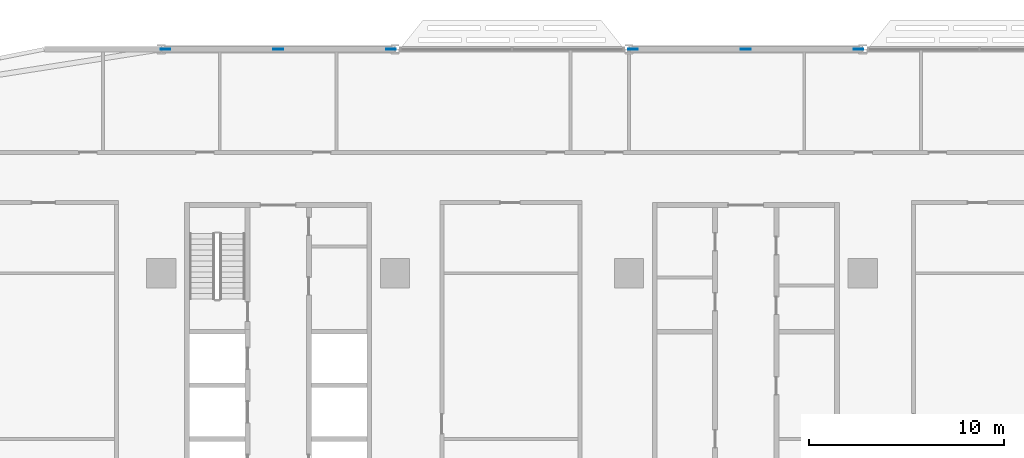
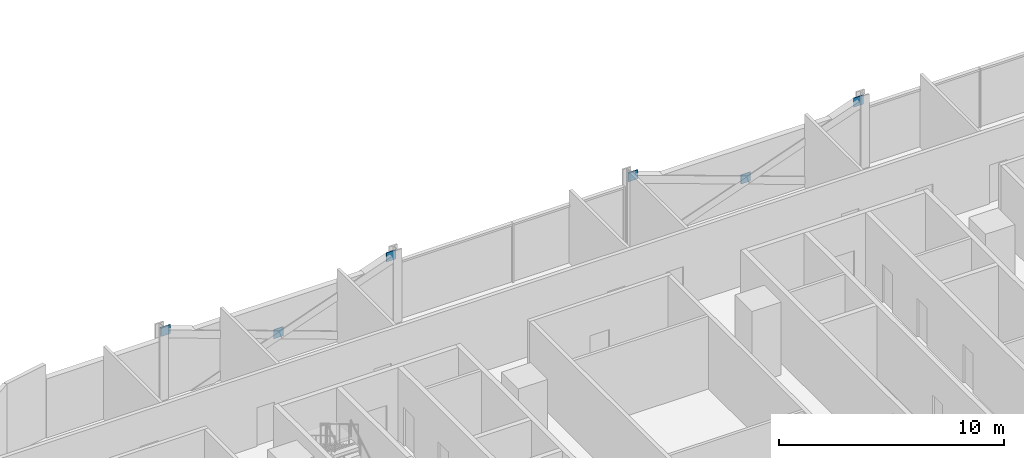
# One storey, part 21 of 29: 6 discrete accessories.
"""IFC4 building model written with IfcOpenShell, lengths in metres."""

from ifc_helpers import new_model, si_unit, direction, frame, origin, origin_2d, place, context, subcontext, project, spatial, rectangle, extrude, material, layer, layer_set, type_object, element, save


model = new_model("IFC4")

# Units and contexts
model_context = context("Model", 3, precision=1e-05, world=origin(), true_north=direction((0.0, 1.0)))
body_context = subcontext(model_context, "Body", "Model", "MODEL_VIEW")
ifc_project = project(units=[si_unit("LENGTHUNIT", "METRE"), si_unit("AREAUNIT", "SQUARE_METRE"), si_unit("VOLUMEUNIT", "CUBIC_METRE"), si_unit("PLANEANGLEUNIT", "RADIAN"), si_unit("MASSUNIT", "GRAM", prefix="KILO")], contexts=[model_context])

# Site, building, storey
site_placement = place(None, origin())
site = spatial("IfcSite", under=ifc_project, at=site_placement, CompositionType="ELEMENT")
building_placement = place(site_placement, origin())
building = spatial("IfcBuilding", under=site, at=building_placement, Name="Mahtab Terrace Research Tower", CompositionType="ELEMENT")
storey_placement = place(building_placement, frame((0.0, 0.0, 54.60009765625)))
storey = spatial("IfcBuildingStorey", under=building, at=storey_placement, Name="L12", CompositionType="ELEMENT", Elevation=54.60009765625)

# Discrete accessories
ifc_material = material(Name="Steel ASTM A992 Gr 50", Category="steel")
ifc_layer = layer(ifc_material, 0.030029296875)
ifc_layer_set = layer_set([ifc_layer], Name="Gusset plate 500x500x30")
discrete_accessory_type = type_object("IfcDiscreteAccessoryType", Name="Gusset plate 500x500x30", PredefinedType="USERDEFINED", material=ifc_layer_set)
for number, where, z_axis, x_axis, name in (
    (1, (-29.787841796875, 23.0, 3.331298828125), (0.0, 0.0, 1.0), (1.0, 0.0, 0.0), "Gusset plate"),
    (2, (-24.0, 23.0, 1.181396484375), (0.0, 0.0, 1.0), (1.0, 0.0, 0.0), "Gusset plate"),
    (3, (-18.212158203125, 23.0, 3.331298828125), (0.0, 0.0, 1.0), (1.0, 0.0, 0.0), "Gusset plate"),
    (4, (-5.787841796875, 23.0, 3.331298828125), (0.0, 0.0, 1.0), (1.0, 0.0, 0.0), "Gusset plate"),
    (5, (0.0, 23.0, 1.181396484375), (0.0, 0.0, 1.0), (1.0, 0.0, 0.0), "Gusset plate"),
    (6, (5.787841796875, 23.0, 3.331298828125), (0.0, 0.0, 1.0), (1.0, 0.0, 0.0), "Gusset plate"),
):
    element("IfcDiscreteAccessory", number, at=place(storey_placement, frame(where, z_axis=z_axis, x_axis=x_axis)), inside=storey, type_object=discrete_accessory_type, Name=name, ObjectType="GUSSET PLATE", PredefinedType="USERDEFINED", context=body_context, shape_type="SweptSolid", body=[
        extrude(rectangle(XDim=0.5, YDim=0.030029296875, at=origin_2d()), origin(), (0.0, 0.0, 1.0), 0.5),
    ])

save(model, "model.ifc")
